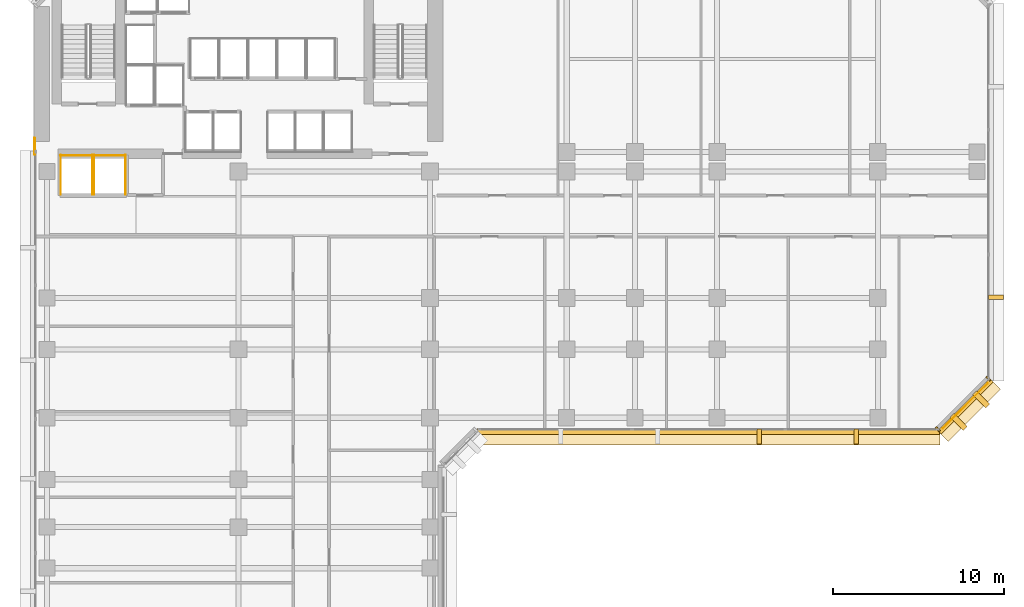
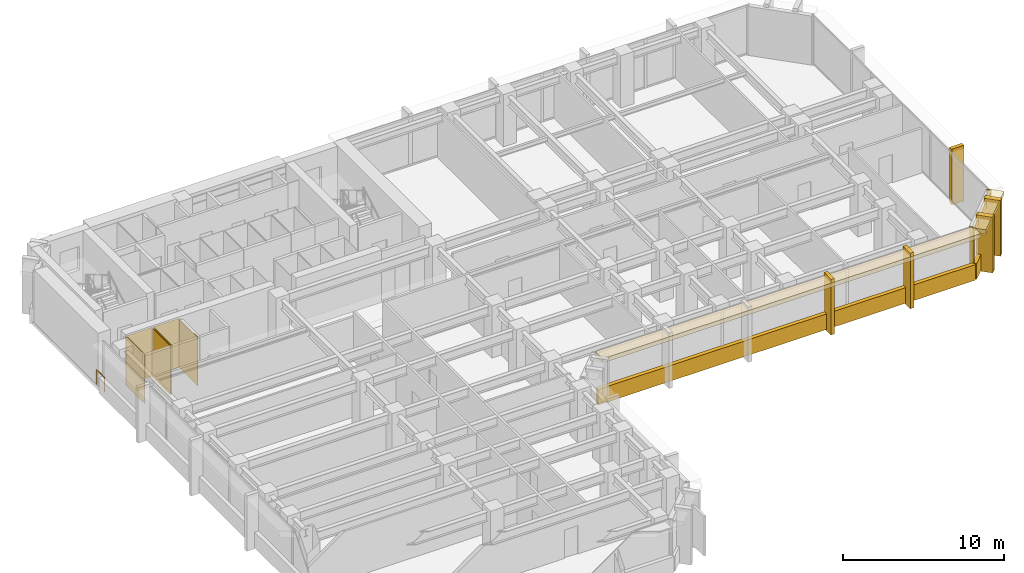
# One storey, part 10 of 13: 18 coverings, 1 railing.
"""IFC4 building model written with IfcOpenShell, lengths in metres."""

from ifc_helpers import new_model, si_unit, direction, frame, origin, origin_2d, place, context, subcontext, project, spatial, polyline, rectangle, circle, outline, extrude, material, layer, layer_set, type_object, element, save


model = new_model("IFC4")

# Units and contexts
model_context = context("Model", 3, precision=1e-05, world=origin(), true_north=direction((0.0, 1.0)))
body_context = subcontext(model_context, "Body", "Model", "MODEL_VIEW")
ifc_project = project(units=[si_unit("LENGTHUNIT", "METRE"), si_unit("AREAUNIT", "SQUARE_METRE"), si_unit("VOLUMEUNIT", "CUBIC_METRE"), si_unit("PLANEANGLEUNIT", "RADIAN"), si_unit("MASSUNIT", "GRAM", prefix="KILO")], contexts=[model_context])

# Site, building, storey
site_placement = place(None, origin())
site = spatial("IfcSite", under=ifc_project, at=site_placement, CompositionType="ELEMENT")
building_placement = place(site_placement, origin())
building = spatial("IfcBuilding", under=site, at=building_placement, Name="Kefirva Bronze Tower", CompositionType="ELEMENT")
storey_placement = place(building_placement, frame((0.0, 0.0, 58.080078125)))
storey = spatial("IfcBuildingStorey", under=building, at=storey_placement, Name="L13", CompositionType="ELEMENT", Elevation=58.080078125)

# Coverings
ifc_material_1 = material(Name="Bronze anodised aluminium", Category="aluminium")
ifc_layer_1 = layer(ifc_material_1, 0.02001953125, Name="Bronze anodised aluminium")
ifc_layer_set_1 = layer_set([ifc_layer_1], Name="Bronze anodised aluminium")
covering_type_1 = type_object("IfcCoveringType", Name="Anodised Bronze Spandrel Cladding 20mm", PredefinedType="CLADDING", material=ifc_layer_set_1)
covering_1_placement = place(storey_placement, frame((39.5, 17.9599609375, -0.16015625), z_axis=(0.0, 0.0, 1.0), x_axis=(1.0, 0.0, 0.0)))
element("IfcCovering", 1, at=covering_1_placement, inside=storey, type_object=covering_type_1, Name="L13 Streamline Horizontal Spandrel Band 4", PredefinedType="CLADDING", context=body_context, shape_type="SweptSolid", body=[
    extrude(rectangle(XDim=27.0400390625, YDim=0.280029296875, at=origin_2d()), origin(), (0.0, 0.0, 1.0), 1.179931640625),
])
covering_2_placement = place(storey_placement, frame((54.507080078125, 19.492919921875, 3.2900390625), z_axis=(0.0, 0.0, 1.0), x_axis=(0.707106781187, 0.707106781187, 0.0)))
element("IfcCovering", 2, at=covering_2_placement, inside=storey, type_object=covering_type_1, Name="L13 Bronze Spandrel Cladding 4", PredefinedType="CLADDING", context=body_context, shape_type="SweptSolid", body=[
    extrude(rectangle(XDim=3.719482421875, YDim=0.02001953125, at=origin_2d()), origin(), (0.0, 0.0, 1.0), 0.39990234375),
])
for number, where, z_axis, x_axis, name in (
    (3, (52.91162109375, 18.137939453125, 0.0), (0.0, 0.0, 1.0), (0.707106781187, 0.707106781187, 0.0), "L13 Facade Joint Closure Panel 4S"),
    (4, (55.862060546875, 21.08837890625, 0.0), (0.0, 0.0, 1.0), (0.707106781187, 0.707106781187, 0.0), "L13 Facade Joint Closure Panel 4E"),
):
    element("IfcCovering", number, at=place(storey_placement, frame(where, z_axis=z_axis, x_axis=x_axis)), inside=storey, type_object=covering_type_1, Name=name, PredefinedType="CLADDING", context=body_context, shape_type="SweptSolid", body=[
        extrude(rectangle(XDim=0.10009765625, YDim=0.320068359375, at=origin_2d()), origin(), (0.0, 0.0, 1.0), 3.7099609375),
    ])
covering_3_placement = place(storey_placement, frame((54.5283203125, 19.4716796875, -0.16015625), z_axis=(0.0, 0.0, 1.0), x_axis=(0.707106781187, 0.707106781187, 0.0)))
element("IfcCovering", 5, at=covering_3_placement, inside=storey, type_object=covering_type_1, Name="L13 Streamline Horizontal Spandrel Band 5", PredefinedType="CLADDING", context=body_context, shape_type="SweptSolid", body=[
    extrude(rectangle(XDim=4.28271484375, YDim=0.280029296875, at=origin_2d()), origin(), (0.0, 0.0, 1.0), 1.179931640625),
])
covering_4_placement = place(storey_placement, origin())
element("IfcCovering", 6, at=covering_4_placement, inside=storey, type_object=covering_type_1, Name="L13 Lift OB1 Hoistway Liner N", PredefinedType="CLADDING", context=body_context, shape_type="SweptSolid", body=[
    extrude(outline(polyline([(1.580078125, 34.139892578125), (3.469970703125, 34.139892578125), (3.469970703125, 34.159912109375), (1.580078125, 34.159912109375), (1.580078125, 34.139892578125)])), origin(), (0.0, 0.0, 1.0), 3.7099609375),
])
covering_5_placement = place(storey_placement, origin())
element("IfcCovering", 7, at=covering_5_placement, inside=storey, type_object=covering_type_1, Name="L13 Lift OB1 Hoistway Liner W", PredefinedType="CLADDING", context=body_context, shape_type="SweptSolid", body=[
    extrude(outline(polyline([(1.590087890625, 31.830078125), (1.610107421875, 31.830078125), (1.610107421875, 34.169921875), (1.590087890625, 34.169921875), (1.590087890625, 31.830078125)])), origin(), (0.0, 0.0, 1.0), 3.7099609375),
])
covering_6_placement = place(storey_placement, origin())
element("IfcCovering", 8, at=covering_6_placement, inside=storey, type_object=covering_type_1, Name="L13 Lift OB1 Hoistway Liner E", PredefinedType="CLADDING", context=body_context, shape_type="SweptSolid", body=[
    extrude(outline(polyline([(3.43994140625, 31.830078125), (3.4599609375, 31.830078125), (3.4599609375, 34.169921875), (3.43994140625, 34.169921875), (3.43994140625, 31.830078125)])), origin(), (0.0, 0.0, 1.0), 3.7099609375),
])
covering_7_placement = place(storey_placement, origin())
element("IfcCovering", 9, at=covering_7_placement, inside=storey, type_object=covering_type_1, Name="L13 Lift OB2 Hoistway Liner N", PredefinedType="CLADDING", context=body_context, shape_type="SweptSolid", body=[
    extrude(outline(polyline([(3.530029296875, 34.139892578125), (5.419921875, 34.139892578125), (5.419921875, 34.159912109375), (3.530029296875, 34.159912109375), (3.530029296875, 34.139892578125)])), origin(), (0.0, 0.0, 1.0), 3.7099609375),
])
covering_8_placement = place(storey_placement, origin())
element("IfcCovering", 10, at=covering_8_placement, inside=storey, type_object=covering_type_1, Name="L13 Lift OB2 Hoistway Liner W", PredefinedType="CLADDING", context=body_context, shape_type="SweptSolid", body=[
    extrude(outline(polyline([(3.5400390625, 31.830078125), (3.56005859375, 31.830078125), (3.56005859375, 34.169921875), (3.5400390625, 34.169921875), (3.5400390625, 31.830078125)])), origin(), (0.0, 0.0, 1.0), 3.7099609375),
])
covering_9_placement = place(storey_placement, origin())
element("IfcCovering", 11, at=covering_9_placement, inside=storey, type_object=covering_type_1, Name="L13 Lift OB2 Hoistway Liner E", PredefinedType="CLADDING", context=body_context, shape_type="SweptSolid", body=[
    extrude(outline(polyline([(5.389892578125, 31.830078125), (5.409912109375, 31.830078125), (5.409912109375, 34.169921875), (5.389892578125, 34.169921875), (5.389892578125, 31.830078125)])), origin(), (0.0, 0.0, 1.0), 3.7099609375),
])

# Railing
ifc_material_2 = material(Name="Stainless steel 316", Category="steel")
railing_type = type_object("IfcRailingType", Name="Interior Stair Guardrail 1100mm", PredefinedType="GUARDRAIL", material=ifc_material_2)
railing_placement = place(storey_placement, frame((0.080078125, 34.199951171875, 0.0)))
element("IfcRailing", 12, at=railing_placement, inside=storey, type_object=railing_type, Name="L13 West Core Junction Guardrail", PredefinedType="GUARDRAIL", context=body_context, shape_type="SweptSolid", body=[
    extrude(circle(Radius=0.02392578125, at=origin_2d()), frame((0.0, 0.0, 1.076171875), z_axis=(0.0, 1.0, 0.0), x_axis=(-1.0, 0.0, 0.0)), (0.0, 0.0, 1.0), 0.949951171875),
    extrude(circle(Radius=0.02099609375, at=origin_2d()), origin(), (0.0, 0.0, 1.0), 1.052001953125),
    extrude(circle(Radius=0.02099609375, at=origin_2d()), frame((0.0, 0.949951171875, 0.0)), (0.0, 0.0, 1.0), 1.052001953125),
])

# Coverings
ifc_layer_2 = layer(ifc_material_1, 0.179931640625, Name="Bronze anodised aluminium")
ifc_layer_set_2 = layer_set([ifc_layer_2], Name="Bronze anodised aluminium")
covering_type_2 = type_object("IfcCoveringType", Name="Streamline Bronze Sunshade Eyebrow Cladding 180mm", PredefinedType="CLADDING", material=ifc_layer_set_2)
covering_10_placement = place(storey_placement, frame((39.5, 17.68994140625, 3.3896484375), z_axis=(0.0, 0.0, 1.0), x_axis=(1.0, 0.0, 0.0)))
element("IfcCovering", 13, at=covering_10_placement, inside=storey, type_object=covering_type_2, Name="L13 Streamline Bronze Sunshade Eyebrow 4", PredefinedType="CLADDING", context=body_context, shape_type="SweptSolid", body=[
    extrude(rectangle(XDim=27.080078125, YDim=0.93994140625, at=origin_2d()), origin(), (0.0, 0.0, 1.0), 0.320068359375),
])
covering_11_placement = place(storey_placement, frame((54.71923828125, 19.28076171875, 3.3896484375), z_axis=(0.0, 0.0, 1.0), x_axis=(0.707106781187, 0.707106781187, 0.0)))
element("IfcCovering", 14, at=covering_11_placement, inside=storey, type_object=covering_type_2, Name="L13 Streamline Bronze Sunshade Eyebrow 5", PredefinedType="CLADDING", context=body_context, shape_type="SweptSolid", body=[
    extrude(rectangle(XDim=4.322509765625, YDim=0.93994140625, at=origin_2d()), origin(), (0.0, 0.0, 1.0), 0.320068359375),
])
ifc_layer_3 = layer(ifc_material_1, 0.260009765625, Name="Bronze anodised aluminium")
ifc_layer_set_3 = layer_set([ifc_layer_3], Name="Bronze anodised aluminium")
covering_type_3 = type_object("IfcCoveringType", Name="Unbroken Bronze Buttress Fin Cladding 260mm", PredefinedType="CLADDING", material=ifc_layer_set_3)
for number, where, z_axis, x_axis, name in (
    (15, (42.469970703125, 17.699951171875, -0.25), (0.0, 0.0, 1.0), (1.0, 0.0, 0.0), "L13 Unbroken Vertical Bronze Rib Fin 11"),
    (16, (48.139892578125, 17.699951171875, -0.25), (0.0, 0.0, 1.0), (1.0, 0.0, 0.0), "L13 Unbroken Vertical Bronze Rib Fin 12"),
):
    element("IfcCovering", number, at=place(storey_placement, frame(where, z_axis=z_axis, x_axis=x_axis)), inside=storey, type_object=covering_type_3, Name=name, PredefinedType="CLADDING", context=body_context, shape_type="SweptSolid", body=[
        extrude(rectangle(XDim=0.260009765625, YDim=0.8798828125, at=origin_2d()), origin(), (0.0, 0.0, 1.0), 4.2099609375),
    ])
for number, where, z_axis, x_axis, name in (
    (17, (54.122802734375, 18.55712890625, -0.25), (0.0, 0.0, 1.0), (0.707106781187, 0.707106781187, 0.0), "L13 Chamfered Corner Buttress Fin Cladding 13"),
    (18, (55.44287109375, 19.877197265625, -0.25), (0.0, 0.0, 1.0), (0.707106781187, 0.707106781187, 0.0), "L13 Chamfered Corner Buttress Fin Cladding 14"),
):
    element("IfcCovering", number, at=place(storey_placement, frame(where, z_axis=z_axis, x_axis=x_axis)), inside=storey, type_object=covering_type_3, Name=name, PredefinedType="CLADDING", context=body_context, shape_type="SweptSolid", body=[
        extrude(rectangle(XDim=0.340087890625, YDim=1.080078125, at=origin_2d()), origin(), (0.0, 0.0, 1.0), 4.2099609375),
    ])
covering_12_placement = place(storey_placement, frame((56.300048828125, 25.840087890625, -0.25), z_axis=(0.0, 0.0, 1.0), x_axis=(0.0, 1.0, 0.0)))
element("IfcCovering", 19, at=covering_12_placement, inside=storey, type_object=covering_type_3, Name="L13 Unbroken Vertical Bronze Rib Fin 15", PredefinedType="CLADDING", context=body_context, shape_type="SweptSolid", body=[
    extrude(rectangle(XDim=0.260009765625, YDim=0.8798828125, at=origin_2d()), origin(), (0.0, 0.0, 1.0), 4.2099609375),
])

save(model, "model.ifc")
